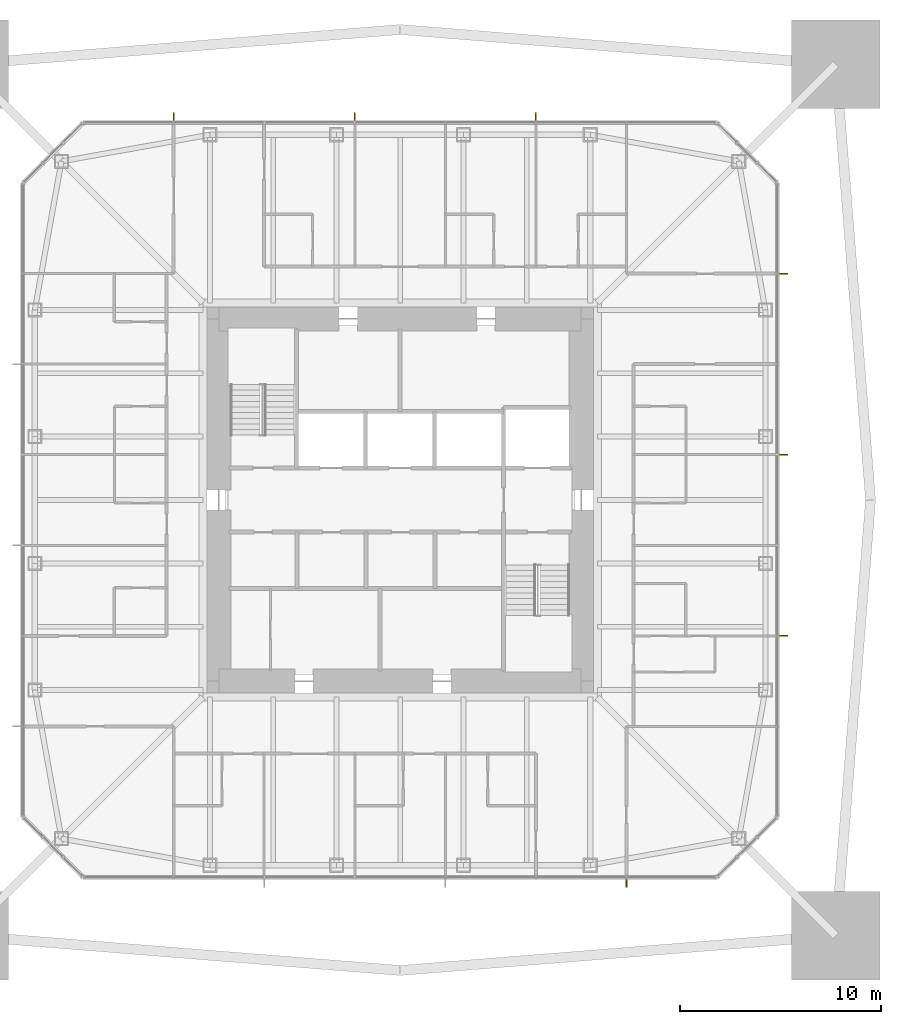
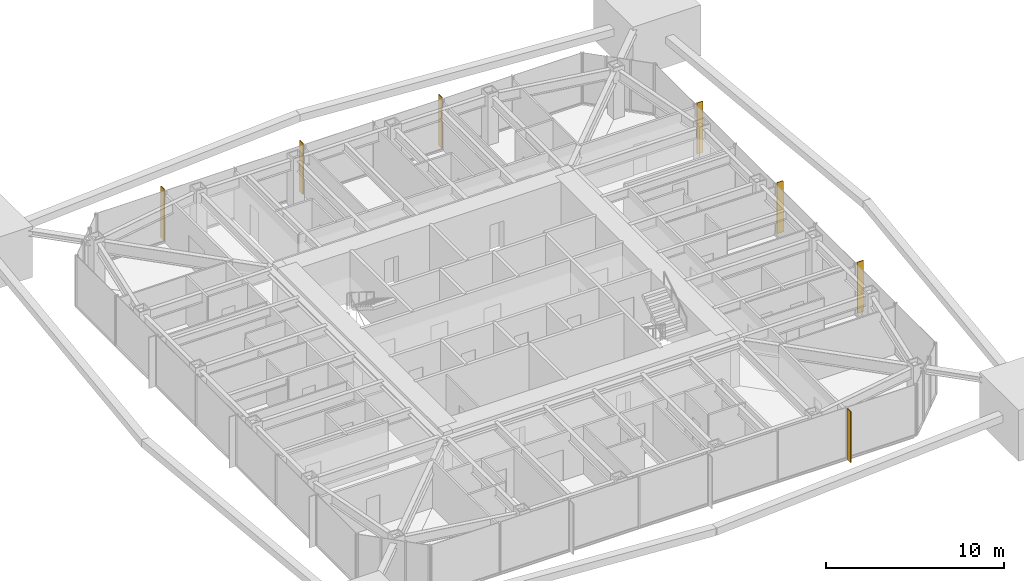
# One storey, part 13 of 13: 7 shading devices.
"""IFC4 building model written with IfcOpenShell, lengths in metres."""

from ifc_helpers import new_model, si_unit, direction, frame, origin, origin_2d, place, context, subcontext, project, spatial, rectangle, extrude, material, layer, layer_set, type_object, element, save


model = new_model("IFC4")

# Units and contexts
model_context = context("Model", 3, precision=1e-05, world=origin(), true_north=direction((0.0, 1.0)))
body_context = subcontext(model_context, "Body", "Model", "MODEL_VIEW")
ifc_project = project(units=[si_unit("LENGTHUNIT", "METRE"), si_unit("AREAUNIT", "SQUARE_METRE"), si_unit("VOLUMEUNIT", "CUBIC_METRE"), si_unit("PLANEANGLEUNIT", "RADIAN"), si_unit("MASSUNIT", "GRAM", prefix="KILO")], contexts=[model_context])

# Site, building, storey
site_placement = place(None, origin())
site = spatial("IfcSite", under=ifc_project, at=site_placement, CompositionType="ELEMENT")
building_placement = place(site_placement, origin())
building = spatial("IfcBuilding", under=site, at=building_placement, Name="Iwan Alto Co-Living Towers", CompositionType="ELEMENT")
storey_placement = place(building_placement, frame((0.0, 0.0, 160.0)))
storey = spatial("IfcBuildingStorey", under=building, at=storey_placement, Name="L43", CompositionType="ELEMENT", Elevation=160.0)

# Shading devices
ifc_material = material(Name="Aluminium 6063-T6 bronze anodised", Category="aluminium")
ifc_layer = layer(ifc_material, 0.050048828125)
ifc_layer_set = layer_set([ifc_layer], Name="BRONZE FIN 50X400")
shading_device_type = type_object("IfcShadingDeviceType", Name="BRONZE FIN 50X400", PredefinedType="USERDEFINED", material=ifc_layer_set)
for number, where, z_axis, x_axis, name in (
    (1, (11.25, -19.050048828125, 0.0), (0.0, 0.0, 1.0), (1.0, 0.0, 0.0), "Bronze fin L43"),
    (2, (19.050048828125, -6.75, 0.0), (0.0, 0.0, 1.0), (0.0, 1.0, 0.0), "Bronze fin L43"),
    (3, (19.050048828125, 2.25, 0.0), (0.0, 0.0, 1.0), (0.0, 1.0, 0.0), "Bronze fin L43"),
    (4, (19.050048828125, 11.25, 0.0), (0.0, 0.0, 1.0), (0.0, 1.0, 0.0), "Bronze fin L43"),
    (5, (6.75, 19.050048828125, 0.0), (0.0, 0.0, 1.0), (-1.0, 0.0, 0.0), "Bronze fin L43"),
    (6, (-2.25, 19.050048828125, 0.0), (0.0, 0.0, 1.0), (-1.0, 0.0, 0.0), "Bronze fin L43"),
    (7, (-11.25, 19.050048828125, 0.0), (0.0, 0.0, 1.0), (-1.0, 0.0, 0.0), "Bronze fin L43"),
):
    element("IfcShadingDevice", number, at=place(storey_placement, frame(where, z_axis=z_axis, x_axis=x_axis)), inside=storey, type_object=shading_device_type, Name=name, ObjectType="LOUVER", PredefinedType="USERDEFINED", context=body_context, shape_type="SweptSolid", body=[
        extrude(rectangle(XDim=0.050048828125, YDim=0.39990234375, at=origin_2d()), origin(), (0.0, 0.0, 1.0), 3.5),
    ])

save(model, "model.ifc")
